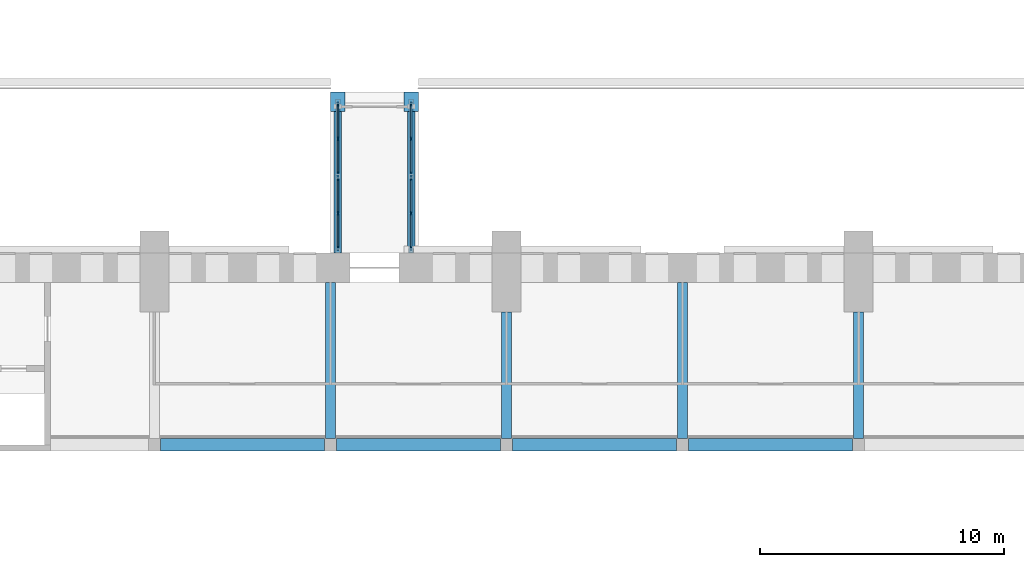
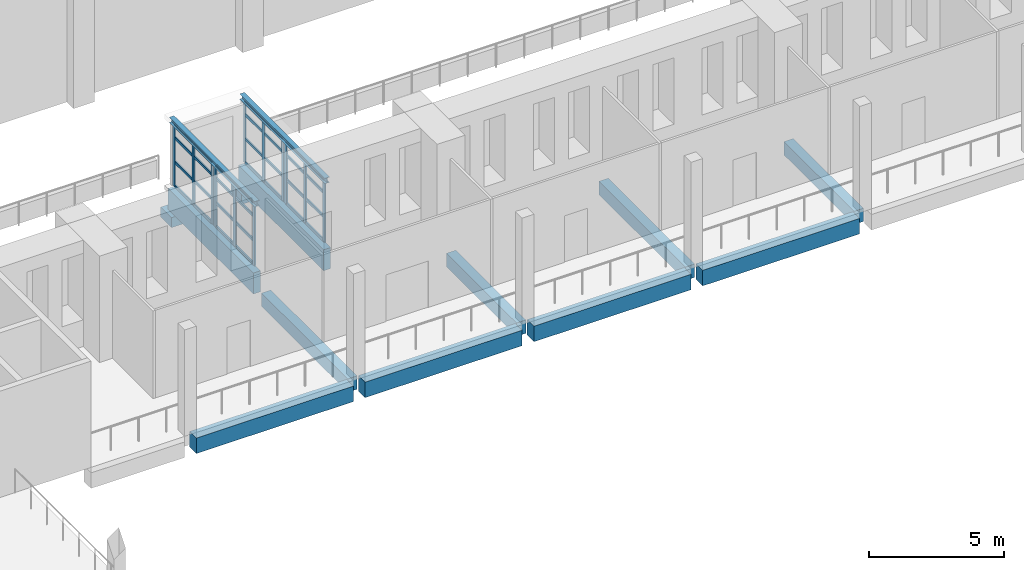
# One storey, part 44 of 131: 44 members, 14 beams, 4 elements without a shape of their own.
"""IFC4 building model written with IfcOpenShell, lengths in metres."""

from ifc_helpers import new_model, si_unit, direction, frame, origin, origin_2d, place, context, subcontext, project, spatial, rectangle, i_section, extrude, material, layer, layer_set, material_profile, profile_set, type_object, element, aggregate, save


model = new_model("IFC4")

# Units and contexts
model_context = context("Model", 3, precision=1e-05, world=origin(), true_north=direction((0.0, 1.0)))
body_context = subcontext(model_context, "Body", "Model", "MODEL_VIEW")
ifc_project = project(units=[si_unit("LENGTHUNIT", "METRE"), si_unit("AREAUNIT", "SQUARE_METRE"), si_unit("VOLUMEUNIT", "CUBIC_METRE"), si_unit("PLANEANGLEUNIT", "RADIAN"), si_unit("MASSUNIT", "GRAM", prefix="KILO")], contexts=[model_context])

# Site, building, storey
site_placement = place(None, origin())
site = spatial("IfcSite", under=ifc_project, at=site_placement, CompositionType="ELEMENT")
building_placement = place(site_placement, origin())
building = spatial("IfcBuilding", under=site, at=building_placement, Name="Alderwick Market Hall", CompositionType="ELEMENT")
storey_placement = place(building_placement, frame((0.0, 0.0, 4.800048828125)))
storey = spatial("IfcBuildingStorey", under=building, at=storey_placement, Name="L00", CompositionType="ELEMENT", Elevation=4.800048828125)

# Beams
ifc_material_1 = material(Name="Concrete 5000 psi (f'c 35 MPa)", Category="concrete")
ifc_material_profile_1 = material_profile(ifc_material_1, rectangle(XDim=0.5, YDim=0.699951171875, at=origin_2d()), Name="RC 500x700")
ifc_profile_set_1 = profile_set([ifc_material_profile_1], Name="Concrete 5000 psi (f'c 35 MPa)")
beam_type_1 = type_object("IfcBeamType", Name="H Edge beam 500x700", PredefinedType="BEAM", material=ifc_profile_set_1)
for number, where, z_axis, x_axis, name in (
    (1, (65.050048828125, 100.760009765625, -0.60009765625), (1.0, 0.0, 0.0), (0.0, 1.0, 0.0), "Gallery edge beam N"),
    (2, (72.25, 100.760009765625, -0.60009765625), (1.0, 0.0, 0.0), (0.0, 1.0, 0.0), "Gallery edge beam N"),
    (3, (79.449951171875, 100.760009765625, -0.60009765625), (1.0, 0.0, 0.0), (0.0, 1.0, 0.0), "Gallery edge beam N"),
):
    element("IfcBeam", number, at=place(storey_placement, frame(where, z_axis=z_axis, x_axis=x_axis)), inside=storey, type_object=beam_type_1, Name=name, PredefinedType="BEAM", context=body_context, shape_type="SweptSolid", body=[
        extrude(rectangle(XDim=0.5, YDim=0.699951171875, at=origin_2d()), origin(), (0.0, 0.0, 1.0), 6.699951171875),
    ])
beam_1_placement = place(storey_placement, frame((86.64990234375, 100.760009765625, -0.60009765625), z_axis=(1.0, 0.0, 0.0), x_axis=(0.0, 1.0, 0.0)))
element("IfcBeam", 4, at=beam_1_placement, inside=storey, type_object=beam_type_1, Name="Gallery edge beam N", PredefinedType="BEAM", context=body_context, shape_type="SweptSolid", body=[
    extrude(rectangle(XDim=0.5, YDim=0.699951171875, at=origin_2d()), origin(), (0.0, 0.0, 1.0), 6.7001953125),
])
ifc_material_profile_2 = material_profile(ifc_material_1, rectangle(XDim=0.39990234375, YDim=0.60009765625, at=origin_2d()), Name="RC 400x600")
ifc_profile_set_2 = profile_set([ifc_material_profile_2], Name="Concrete 5000 psi (f'c 35 MPa)")
beam_type_2 = type_object("IfcBeamType", Name="H Gallery beam 400x600", PredefinedType="BEAM", material=ifc_profile_set_2)
beam_2_placement = place(storey_placement, frame((72.0, 107.39990234375, -0.550048828125), z_axis=(0.0, -1.0, 0.0), x_axis=(1.0, 0.0, 0.0)))
element("IfcBeam", 5, at=beam_2_placement, inside=storey, type_object=beam_type_2, Name="Gallery beam N", PredefinedType="BEAM", context=body_context, shape_type="SweptSolid", body=[
    extrude(rectangle(XDim=0.39990234375, YDim=0.60009765625, at=origin_2d()), origin(), (0.0, 0.0, 1.0), 6.389892578125),
])
beam_3_placement = place(storey_placement, frame((79.199951171875, 106.199951171875, -0.550048828125), z_axis=(0.0, -1.0, 0.0), x_axis=(1.0, 0.0, 0.0)))
element("IfcBeam", 6, at=beam_3_placement, inside=storey, type_object=beam_type_2, Name="Gallery beam N", PredefinedType="BEAM", context=body_context, shape_type="SweptSolid", body=[
    extrude(rectangle(XDim=0.39990234375, YDim=0.60009765625, at=origin_2d()), origin(), (0.0, 0.0, 1.0), 5.18994140625),
])
beam_4_placement = place(storey_placement, frame((86.39990234375, 107.39990234375, -0.550048828125), z_axis=(0.0, -1.0, 0.0), x_axis=(1.0, 0.0, 0.0)))
element("IfcBeam", 7, at=beam_4_placement, inside=storey, type_object=beam_type_2, Name="Gallery beam N", PredefinedType="BEAM", context=body_context, shape_type="SweptSolid", body=[
    extrude(rectangle(XDim=0.39990234375, YDim=0.60009765625, at=origin_2d()), origin(), (0.0, 0.0, 1.0), 6.389892578125),
])
beam_5_placement = place(storey_placement, frame((93.60009765625, 106.199951171875, -0.550048828125), z_axis=(0.0, -1.0, 0.0), x_axis=(1.0, 0.0, 0.0)))
element("IfcBeam", 8, at=beam_5_placement, inside=storey, type_object=beam_type_2, Name="Gallery beam N", PredefinedType="BEAM", context=body_context, shape_type="SweptSolid", body=[
    extrude(rectangle(XDim=0.39990234375, YDim=0.60009765625, at=origin_2d()), origin(), (0.0, 0.0, 1.0), 5.18994140625),
])

# Curtain wall, members
ifc_material_2 = material(Name="Aluminium frame", Category="aluminium")
ifc_layer = layer(ifc_material_2, 0.10009765625)
ifc_layer_set = layer_set([ifc_layer], Name="Aluminium frame")
curtain_wall_type = type_object("IfcCurtainWallType", Name="P Curtain Wall 100", PredefinedType="NOTDEFINED", material=ifc_layer_set)
curtain_wall_1_placement = place(storey_placement, origin())
curtain_wall_1 = element("IfcCurtainWall", 9, at=curtain_wall_1_placement, inside=storey, type_object=curtain_wall_type, Name="P.P1.cw.a0", PredefinedType="NOTDEFINED")
ifc_material_profile_3 = material_profile(ifc_material_2, rectangle(XDim=0.06005859375, YDim=0.159912109375, at=origin_2d()), Name="P Mullion 60x160")
ifc_profile_set_3 = profile_set([ifc_material_profile_3], Name="Aluminium frame")
member_type_1 = type_object("IfcMemberType", Name="P Mullion 60x160", PredefinedType="MULLION", material=ifc_profile_set_3)
member_1_placement = place(storey_placement, frame((72.300048828125, 108.805908203125, 0.0), z_axis=(0.0, 0.0, 1.0), x_axis=(-1.0, 0.0, 0.0)))
member_1 = element("IfcMember", 10, at=member_1_placement, type_object=member_type_1, Name="P-CW1a0 mullion 1", PredefinedType="MULLION", context=body_context, shape_type="SweptSolid", body=[
    extrude(rectangle(XDim=0.06005859375, YDim=0.159912109375, at=origin_2d()), origin(), (0.0, 0.0, 1.0), 2.7529296875),
])
member_2_placement = place(storey_placement, frame((72.300048828125, 110.22509765625, 0.0), z_axis=(0.0, 0.0, 1.0), x_axis=(-1.0, 0.0, 0.0)))
member_2 = element("IfcMember", 11, at=member_2_placement, type_object=member_type_1, Name="P-CW1a0 mullion 2", PredefinedType="MULLION", context=body_context, shape_type="SweptSolid", body=[
    extrude(rectangle(XDim=0.06005859375, YDim=0.159912109375, at=origin_2d()), origin(), (0.0, 0.0, 1.0), 2.7529296875),
])
member_3_placement = place(storey_placement, frame((72.300048828125, 111.64404296875, 0.0), z_axis=(0.0, 0.0, 1.0), x_axis=(-1.0, 0.0, 0.0)))
member_3 = element("IfcMember", 12, at=member_3_placement, type_object=member_type_1, Name="P-CW1a0 mullion 3", PredefinedType="MULLION", context=body_context, shape_type="SweptSolid", body=[
    extrude(rectangle(XDim=0.06005859375, YDim=0.159912109375, at=origin_2d()), origin(), (0.0, 0.0, 1.0), 2.7529296875),
])

curtain_wall_2_placement = place(storey_placement, origin())
curtain_wall_2 = element("IfcCurtainWall", 13, at=curtain_wall_2_placement, inside=storey, type_object=curtain_wall_type, Name="P.P1.cw.a1", PredefinedType="NOTDEFINED")
member_4_placement = place(storey_placement, frame((72.300048828125, 111.85595703125, 0.0), z_axis=(0.0, 0.0, 1.0), x_axis=(-1.0, 0.0, 0.0)))
member_4 = element("IfcMember", 14, at=member_4_placement, type_object=member_type_1, Name="P-CW1a1 mullion 1", PredefinedType="MULLION", context=body_context, shape_type="SweptSolid", body=[
    extrude(rectangle(XDim=0.06005859375, YDim=0.159912109375, at=origin_2d()), origin(), (0.0, 0.0, 1.0), 2.7529296875),
])
member_5_placement = place(storey_placement, frame((72.300048828125, 113.27490234375, 0.0), z_axis=(0.0, 0.0, 1.0), x_axis=(-1.0, 0.0, 0.0)))
member_5 = element("IfcMember", 15, at=member_5_placement, type_object=member_type_1, Name="P-CW1a1 mullion 2", PredefinedType="MULLION", context=body_context, shape_type="SweptSolid", body=[
    extrude(rectangle(XDim=0.06005859375, YDim=0.159912109375, at=origin_2d()), origin(), (0.0, 0.0, 1.0), 2.7529296875),
])
member_6_placement = place(storey_placement, frame((72.300048828125, 114.694091796875, 0.0), z_axis=(0.0, 0.0, 1.0), x_axis=(-1.0, 0.0, 0.0)))
member_6 = element("IfcMember", 16, at=member_6_placement, type_object=member_type_1, Name="P-CW1a1 mullion 3", PredefinedType="MULLION", context=body_context, shape_type="SweptSolid", body=[
    extrude(rectangle(XDim=0.06005859375, YDim=0.159912109375, at=origin_2d()), origin(), (0.0, 0.0, 1.0), 2.7529296875),
])

curtain_wall_3_placement = place(storey_placement, origin())
curtain_wall_3 = element("IfcCurtainWall", 17, at=curtain_wall_3_placement, inside=storey, type_object=curtain_wall_type, Name="P.P1.cw.b0", PredefinedType="NOTDEFINED")
member_7_placement = place(storey_placement, frame((75.300048828125, 108.805908203125, 0.0), z_axis=(0.0, 0.0, 1.0), x_axis=(-1.0, 0.0, 0.0)))
member_7 = element("IfcMember", 18, at=member_7_placement, type_object=member_type_1, Name="P-CW1b0 mullion 1", PredefinedType="MULLION", context=body_context, shape_type="SweptSolid", body=[
    extrude(rectangle(XDim=0.06005859375, YDim=0.159912109375, at=origin_2d()), origin(), (0.0, 0.0, 1.0), 2.7529296875),
])
member_8_placement = place(storey_placement, frame((75.300048828125, 110.22509765625, 0.0), z_axis=(0.0, 0.0, 1.0), x_axis=(-1.0, 0.0, 0.0)))
member_8 = element("IfcMember", 19, at=member_8_placement, type_object=member_type_1, Name="P-CW1b0 mullion 2", PredefinedType="MULLION", context=body_context, shape_type="SweptSolid", body=[
    extrude(rectangle(XDim=0.06005859375, YDim=0.159912109375, at=origin_2d()), origin(), (0.0, 0.0, 1.0), 2.7529296875),
])
member_9_placement = place(storey_placement, frame((75.300048828125, 111.64404296875, 0.0), z_axis=(0.0, 0.0, 1.0), x_axis=(-1.0, 0.0, 0.0)))
member_9 = element("IfcMember", 20, at=member_9_placement, type_object=member_type_1, Name="P-CW1b0 mullion 3", PredefinedType="MULLION", context=body_context, shape_type="SweptSolid", body=[
    extrude(rectangle(XDim=0.06005859375, YDim=0.159912109375, at=origin_2d()), origin(), (0.0, 0.0, 1.0), 2.7529296875),
])

curtain_wall_4_placement = place(storey_placement, origin())
curtain_wall_4 = element("IfcCurtainWall", 21, at=curtain_wall_4_placement, inside=storey, type_object=curtain_wall_type, Name="P.P1.cw.b1", PredefinedType="NOTDEFINED")
member_10_placement = place(storey_placement, frame((75.300048828125, 111.85595703125, 0.0), z_axis=(0.0, 0.0, 1.0), x_axis=(-1.0, 0.0, 0.0)))
member_10 = element("IfcMember", 22, at=member_10_placement, type_object=member_type_1, Name="P-CW1b1 mullion 1", PredefinedType="MULLION", context=body_context, shape_type="SweptSolid", body=[
    extrude(rectangle(XDim=0.06005859375, YDim=0.159912109375, at=origin_2d()), origin(), (0.0, 0.0, 1.0), 2.7529296875),
])
member_11_placement = place(storey_placement, frame((75.300048828125, 113.27490234375, 0.0), z_axis=(0.0, 0.0, 1.0), x_axis=(-1.0, 0.0, 0.0)))
member_11 = element("IfcMember", 23, at=member_11_placement, type_object=member_type_1, Name="P-CW1b1 mullion 2", PredefinedType="MULLION", context=body_context, shape_type="SweptSolid", body=[
    extrude(rectangle(XDim=0.06005859375, YDim=0.159912109375, at=origin_2d()), origin(), (0.0, 0.0, 1.0), 2.7529296875),
])
member_12_placement = place(storey_placement, frame((75.300048828125, 114.694091796875, 0.0), z_axis=(0.0, 0.0, 1.0), x_axis=(-1.0, 0.0, 0.0)))
member_12 = element("IfcMember", 24, at=member_12_placement, type_object=member_type_1, Name="P-CW1b1 mullion 3", PredefinedType="MULLION", context=body_context, shape_type="SweptSolid", body=[
    extrude(rectangle(XDim=0.06005859375, YDim=0.159912109375, at=origin_2d()), origin(), (0.0, 0.0, 1.0), 2.7529296875),
])

# Beams
ifc_material_profile_4 = material_profile(ifc_material_1, rectangle(XDim=0.60009765625, YDim=0.449951171875, at=origin_2d()), Name="P RC Bearing Corbel 600x450")
ifc_profile_set_4 = profile_set([ifc_material_profile_4], Name="Concrete 5000 psi (f'c 35 MPa)")
beam_type_3 = type_object("IfcBeamType", Name="P RC Bearing Corbel 600x450", PredefinedType="USERDEFINED", material=ifc_profile_set_4)
for number, where, z_axis, x_axis, name in (
    (25, (72.300048828125, 114.39990234375, -1.39306640625), (0.0, 1.0, 0.0), (-1.0, 0.0, 0.0), "Bearing corbel"),
    (26, (75.300048828125, 114.39990234375, -1.39306640625), (0.0, 1.0, 0.0), (-1.0, 0.0, 0.0), "Bearing corbel"),
):
    element("IfcBeam", number, at=place(storey_placement, frame(where, z_axis=z_axis, x_axis=x_axis)), inside=storey, type_object=beam_type_3, Name=name, ObjectType="CORBEL", PredefinedType="USERDEFINED", context=body_context, shape_type="SweptSolid", body=[
        extrude(rectangle(XDim=0.60009765625, YDim=0.449951171875, at=origin_2d()), origin(), (0.0, 0.0, 1.0), 0.800048828125),
    ])
ifc_material_profile_5 = material_profile(ifc_material_1, rectangle(XDim=0.300048828125, YDim=0.949951171875, at=origin_2d()), Name="P RC Edge Girder 300x950")
ifc_profile_set_5 = profile_set([ifc_material_profile_5], Name="Concrete 5000 psi (f'c 35 MPa)")
beam_type_4 = type_object("IfcBeamType", Name="P RC Edge Girder 300x950", PredefinedType="BEAM", material=ifc_profile_set_5)
for number, where, z_axis, x_axis, name in (
    (27, (72.300048828125, 108.60009765625, -0.675048828125), (0.0, 1.0, 0.0), (-1.0, 0.0, 0.0), "P.P1.girder.a"),
    (28, (75.300048828125, 108.60009765625, -0.675048828125), (0.0, 1.0, 0.0), (-1.0, 0.0, 0.0), "P.P1.girder.b"),
):
    element("IfcBeam", number, at=place(storey_placement, frame(where, z_axis=z_axis, x_axis=x_axis)), inside=storey, type_object=beam_type_4, Name=name, PredefinedType="BEAM", context=body_context, shape_type="SweptSolid", body=[
        extrude(rectangle(XDim=0.300048828125, YDim=0.949951171875, at=origin_2d()), origin(), (0.0, 0.0, 1.0), 6.2998046875),
    ])
ifc_material_3 = material(Name="Steel ASTM A992 Grade 50", Category="steel")
ifc_material_profile_6 = material_profile(ifc_material_3, i_section(OverallWidth=0.201904296875, OverallDepth=0.2470703125, WebThickness=0.00732421875, FlangeThickness=0.010986328125, at=origin_2d()), Name="W250x49")
ifc_profile_set_6 = profile_set([ifc_material_profile_6], Name="Steel ASTM A992 Grade 50")
beam_type_5 = type_object("IfcBeamType", Name="P Roof Beam W250x49", PredefinedType="BEAM", material=ifc_profile_set_6)
for number, where, z_axis, x_axis, name in (
    (29, (72.300048828125, 108.60009765625, 2.87646484375), (0.0, 1.0, 0.0), (-1.0, 0.0, 0.0), "P.P1.rbeam.a"),
    (30, (75.300048828125, 108.60009765625, 2.87646484375), (0.0, 1.0, 0.0), (-1.0, 0.0, 0.0), "P.P1.rbeam.b"),
):
    element("IfcBeam", number, at=place(storey_placement, frame(where, z_axis=z_axis, x_axis=x_axis)), inside=storey, type_object=beam_type_5, Name=name, PredefinedType="BEAM", context=body_context, shape_type="SweptSolid", body=[
        extrude(i_section(OverallWidth=0.201904296875, OverallDepth=0.2470703125, WebThickness=0.00732421875, FlangeThickness=0.010986328125, at=origin_2d()), origin(), (0.0, 0.0, 1.0), 6.2998046875),
    ])

# Member
ifc_material_profile_7 = material_profile(ifc_material_2, rectangle(XDim=0.06005859375, YDim=0.1201171875, at=origin_2d()), Name="P Transom 60x120")
ifc_profile_set_7 = profile_set([ifc_material_profile_7], Name="Aluminium frame")
member_type_2 = type_object("IfcMemberType", Name="P Transom 60x120", PredefinedType="USERDEFINED", material=ifc_profile_set_7)
member_13_placement = place(storey_placement, frame((72.300048828125, 108.8359375, 0.030029296875), z_axis=(0.0, 1.0, 0.0), x_axis=(-1.0, 0.0, 0.0)))
member_13 = element("IfcMember", 31, at=member_13_placement, type_object=member_type_2, Name="P-CW1a0 transom 1.1", ObjectType="TRANSOM", PredefinedType="USERDEFINED", context=body_context, shape_type="SweptSolid", body=[
    extrude(rectangle(XDim=0.06005859375, YDim=0.1201171875, at=origin_2d()), origin(), (0.0, 0.0, 1.0), 1.359130859375),
])

member_14_placement = place(storey_placement, frame((72.300048828125, 108.8359375, 1.099853515625), z_axis=(0.0, 1.0, 0.0), x_axis=(-1.0, 0.0, 0.0)))
member_14 = element("IfcMember", 32, at=member_14_placement, type_object=member_type_2, Name="P-CW1a0 transom 1.2", ObjectType="TRANSOM", PredefinedType="USERDEFINED", context=body_context, shape_type="SweptSolid", body=[
    extrude(rectangle(XDim=0.06005859375, YDim=0.1201171875, at=origin_2d()), origin(), (0.0, 0.0, 1.0), 1.359130859375),
])

member_15_placement = place(storey_placement, frame((72.300048828125, 108.8359375, 2.199951171875), z_axis=(0.0, 1.0, 0.0), x_axis=(-1.0, 0.0, 0.0)))
member_15 = element("IfcMember", 33, at=member_15_placement, type_object=member_type_2, Name="P-CW1a0 transom 1.3", ObjectType="TRANSOM", PredefinedType="USERDEFINED", context=body_context, shape_type="SweptSolid", body=[
    extrude(rectangle(XDim=0.06005859375, YDim=0.1201171875, at=origin_2d()), origin(), (0.0, 0.0, 1.0), 1.359130859375),
])

member_16_placement = place(storey_placement, frame((72.300048828125, 108.8359375, 2.722900390625), z_axis=(0.0, 1.0, 0.0), x_axis=(-1.0, 0.0, 0.0)))
member_16 = element("IfcMember", 34, at=member_16_placement, type_object=member_type_2, Name="P-CW1a0 transom 1.4", ObjectType="TRANSOM", PredefinedType="USERDEFINED", context=body_context, shape_type="SweptSolid", body=[
    extrude(rectangle(XDim=0.06005859375, YDim=0.1201171875, at=origin_2d()), origin(), (0.0, 0.0, 1.0), 1.359130859375),
])

member_17_placement = place(storey_placement, frame((72.300048828125, 110.2548828125, 0.030029296875), z_axis=(0.0, 1.0, 0.0), x_axis=(-1.0, 0.0, 0.0)))
member_17 = element("IfcMember", 35, at=member_17_placement, type_object=member_type_2, Name="P-CW1a0 transom 2.1", ObjectType="TRANSOM", PredefinedType="USERDEFINED", context=body_context, shape_type="SweptSolid", body=[
    extrude(rectangle(XDim=0.06005859375, YDim=0.1201171875, at=origin_2d()), origin(), (0.0, 0.0, 1.0), 1.359130859375),
])

member_18_placement = place(storey_placement, frame((72.300048828125, 110.2548828125, 1.099853515625), z_axis=(0.0, 1.0, 0.0), x_axis=(-1.0, 0.0, 0.0)))
member_18 = element("IfcMember", 36, at=member_18_placement, type_object=member_type_2, Name="P-CW1a0 transom 2.2", ObjectType="TRANSOM", PredefinedType="USERDEFINED", context=body_context, shape_type="SweptSolid", body=[
    extrude(rectangle(XDim=0.06005859375, YDim=0.1201171875, at=origin_2d()), origin(), (0.0, 0.0, 1.0), 1.359130859375),
])

member_19_placement = place(storey_placement, frame((72.300048828125, 110.2548828125, 2.199951171875), z_axis=(0.0, 1.0, 0.0), x_axis=(-1.0, 0.0, 0.0)))
member_19 = element("IfcMember", 37, at=member_19_placement, type_object=member_type_2, Name="P-CW1a0 transom 2.3", ObjectType="TRANSOM", PredefinedType="USERDEFINED", context=body_context, shape_type="SweptSolid", body=[
    extrude(rectangle(XDim=0.06005859375, YDim=0.1201171875, at=origin_2d()), origin(), (0.0, 0.0, 1.0), 1.359130859375),
])

member_20_placement = place(storey_placement, frame((72.300048828125, 110.2548828125, 2.722900390625), z_axis=(0.0, 1.0, 0.0), x_axis=(-1.0, 0.0, 0.0)))
member_20 = element("IfcMember", 38, at=member_20_placement, type_object=member_type_2, Name="P-CW1a0 transom 2.4", ObjectType="TRANSOM", PredefinedType="USERDEFINED", context=body_context, shape_type="SweptSolid", body=[
    extrude(rectangle(XDim=0.06005859375, YDim=0.1201171875, at=origin_2d()), origin(), (0.0, 0.0, 1.0), 1.359130859375),
])

aggregate(curtain_wall_1, [member_1, member_2, member_3, member_13, member_14, member_15, member_16, member_17, member_18, member_19, member_20])

member_21_placement = place(storey_placement, frame((72.300048828125, 111.885986328125, 0.030029296875), z_axis=(0.0, 1.0, 0.0), x_axis=(-1.0, 0.0, 0.0)))
member_21 = element("IfcMember", 39, at=member_21_placement, type_object=member_type_2, Name="P-CW1a1 transom 1.1", ObjectType="TRANSOM", PredefinedType="USERDEFINED", context=body_context, shape_type="SweptSolid", body=[
    extrude(rectangle(XDim=0.06005859375, YDim=0.1201171875, at=origin_2d()), origin(), (0.0, 0.0, 1.0), 1.359130859375),
])

member_22_placement = place(storey_placement, frame((72.300048828125, 111.885986328125, 1.099853515625), z_axis=(0.0, 1.0, 0.0), x_axis=(-1.0, 0.0, 0.0)))
member_22 = element("IfcMember", 40, at=member_22_placement, type_object=member_type_2, Name="P-CW1a1 transom 1.2", ObjectType="TRANSOM", PredefinedType="USERDEFINED", context=body_context, shape_type="SweptSolid", body=[
    extrude(rectangle(XDim=0.06005859375, YDim=0.1201171875, at=origin_2d()), origin(), (0.0, 0.0, 1.0), 1.359130859375),
])

member_23_placement = place(storey_placement, frame((72.300048828125, 111.885986328125, 2.199951171875), z_axis=(0.0, 1.0, 0.0), x_axis=(-1.0, 0.0, 0.0)))
member_23 = element("IfcMember", 41, at=member_23_placement, type_object=member_type_2, Name="P-CW1a1 transom 1.3", ObjectType="TRANSOM", PredefinedType="USERDEFINED", context=body_context, shape_type="SweptSolid", body=[
    extrude(rectangle(XDim=0.06005859375, YDim=0.1201171875, at=origin_2d()), origin(), (0.0, 0.0, 1.0), 1.359130859375),
])

member_24_placement = place(storey_placement, frame((72.300048828125, 111.885986328125, 2.722900390625), z_axis=(0.0, 1.0, 0.0), x_axis=(-1.0, 0.0, 0.0)))
member_24 = element("IfcMember", 42, at=member_24_placement, type_object=member_type_2, Name="P-CW1a1 transom 1.4", ObjectType="TRANSOM", PredefinedType="USERDEFINED", context=body_context, shape_type="SweptSolid", body=[
    extrude(rectangle(XDim=0.06005859375, YDim=0.1201171875, at=origin_2d()), origin(), (0.0, 0.0, 1.0), 1.359130859375),
])

member_25_placement = place(storey_placement, frame((72.300048828125, 113.304931640625, 0.030029296875), z_axis=(0.0, 1.0, 0.0), x_axis=(-1.0, 0.0, 0.0)))
member_25 = element("IfcMember", 43, at=member_25_placement, type_object=member_type_2, Name="P-CW1a1 transom 2.1", ObjectType="TRANSOM", PredefinedType="USERDEFINED", context=body_context, shape_type="SweptSolid", body=[
    extrude(rectangle(XDim=0.06005859375, YDim=0.1201171875, at=origin_2d()), origin(), (0.0, 0.0, 1.0), 1.359130859375),
])

member_26_placement = place(storey_placement, frame((72.300048828125, 113.304931640625, 1.099853515625), z_axis=(0.0, 1.0, 0.0), x_axis=(-1.0, 0.0, 0.0)))
member_26 = element("IfcMember", 44, at=member_26_placement, type_object=member_type_2, Name="P-CW1a1 transom 2.2", ObjectType="TRANSOM", PredefinedType="USERDEFINED", context=body_context, shape_type="SweptSolid", body=[
    extrude(rectangle(XDim=0.06005859375, YDim=0.1201171875, at=origin_2d()), origin(), (0.0, 0.0, 1.0), 1.359130859375),
])

member_27_placement = place(storey_placement, frame((72.300048828125, 113.304931640625, 2.199951171875), z_axis=(0.0, 1.0, 0.0), x_axis=(-1.0, 0.0, 0.0)))
member_27 = element("IfcMember", 45, at=member_27_placement, type_object=member_type_2, Name="P-CW1a1 transom 2.3", ObjectType="TRANSOM", PredefinedType="USERDEFINED", context=body_context, shape_type="SweptSolid", body=[
    extrude(rectangle(XDim=0.06005859375, YDim=0.1201171875, at=origin_2d()), origin(), (0.0, 0.0, 1.0), 1.359130859375),
])

member_28_placement = place(storey_placement, frame((72.300048828125, 113.304931640625, 2.722900390625), z_axis=(0.0, 1.0, 0.0), x_axis=(-1.0, 0.0, 0.0)))
member_28 = element("IfcMember", 46, at=member_28_placement, type_object=member_type_2, Name="P-CW1a1 transom 2.4", ObjectType="TRANSOM", PredefinedType="USERDEFINED", context=body_context, shape_type="SweptSolid", body=[
    extrude(rectangle(XDim=0.06005859375, YDim=0.1201171875, at=origin_2d()), origin(), (0.0, 0.0, 1.0), 1.359130859375),
])

aggregate(curtain_wall_2, [member_4, member_5, member_6, member_21, member_22, member_23, member_24, member_25, member_26, member_27, member_28])

member_29_placement = place(storey_placement, frame((75.300048828125, 108.8359375, 0.030029296875), z_axis=(0.0, 1.0, 0.0), x_axis=(-1.0, 0.0, 0.0)))
member_29 = element("IfcMember", 47, at=member_29_placement, type_object=member_type_2, Name="P-CW1b0 transom 1.1", ObjectType="TRANSOM", PredefinedType="USERDEFINED", context=body_context, shape_type="SweptSolid", body=[
    extrude(rectangle(XDim=0.06005859375, YDim=0.1201171875, at=origin_2d()), origin(), (0.0, 0.0, 1.0), 1.359130859375),
])

member_30_placement = place(storey_placement, frame((75.300048828125, 108.8359375, 1.099853515625), z_axis=(0.0, 1.0, 0.0), x_axis=(-1.0, 0.0, 0.0)))
member_30 = element("IfcMember", 48, at=member_30_placement, type_object=member_type_2, Name="P-CW1b0 transom 1.2", ObjectType="TRANSOM", PredefinedType="USERDEFINED", context=body_context, shape_type="SweptSolid", body=[
    extrude(rectangle(XDim=0.06005859375, YDim=0.1201171875, at=origin_2d()), origin(), (0.0, 0.0, 1.0), 1.359130859375),
])

member_31_placement = place(storey_placement, frame((75.300048828125, 108.8359375, 2.199951171875), z_axis=(0.0, 1.0, 0.0), x_axis=(-1.0, 0.0, 0.0)))
member_31 = element("IfcMember", 49, at=member_31_placement, type_object=member_type_2, Name="P-CW1b0 transom 1.3", ObjectType="TRANSOM", PredefinedType="USERDEFINED", context=body_context, shape_type="SweptSolid", body=[
    extrude(rectangle(XDim=0.06005859375, YDim=0.1201171875, at=origin_2d()), origin(), (0.0, 0.0, 1.0), 1.359130859375),
])

member_32_placement = place(storey_placement, frame((75.300048828125, 108.8359375, 2.722900390625), z_axis=(0.0, 1.0, 0.0), x_axis=(-1.0, 0.0, 0.0)))
member_32 = element("IfcMember", 50, at=member_32_placement, type_object=member_type_2, Name="P-CW1b0 transom 1.4", ObjectType="TRANSOM", PredefinedType="USERDEFINED", context=body_context, shape_type="SweptSolid", body=[
    extrude(rectangle(XDim=0.06005859375, YDim=0.1201171875, at=origin_2d()), origin(), (0.0, 0.0, 1.0), 1.359130859375),
])

member_33_placement = place(storey_placement, frame((75.300048828125, 110.2548828125, 0.030029296875), z_axis=(0.0, 1.0, 0.0), x_axis=(-1.0, 0.0, 0.0)))
member_33 = element("IfcMember", 51, at=member_33_placement, type_object=member_type_2, Name="P-CW1b0 transom 2.1", ObjectType="TRANSOM", PredefinedType="USERDEFINED", context=body_context, shape_type="SweptSolid", body=[
    extrude(rectangle(XDim=0.06005859375, YDim=0.1201171875, at=origin_2d()), origin(), (0.0, 0.0, 1.0), 1.359130859375),
])

member_34_placement = place(storey_placement, frame((75.300048828125, 110.2548828125, 1.099853515625), z_axis=(0.0, 1.0, 0.0), x_axis=(-1.0, 0.0, 0.0)))
member_34 = element("IfcMember", 52, at=member_34_placement, type_object=member_type_2, Name="P-CW1b0 transom 2.2", ObjectType="TRANSOM", PredefinedType="USERDEFINED", context=body_context, shape_type="SweptSolid", body=[
    extrude(rectangle(XDim=0.06005859375, YDim=0.1201171875, at=origin_2d()), origin(), (0.0, 0.0, 1.0), 1.359130859375),
])

member_35_placement = place(storey_placement, frame((75.300048828125, 110.2548828125, 2.199951171875), z_axis=(0.0, 1.0, 0.0), x_axis=(-1.0, 0.0, 0.0)))
member_35 = element("IfcMember", 53, at=member_35_placement, type_object=member_type_2, Name="P-CW1b0 transom 2.3", ObjectType="TRANSOM", PredefinedType="USERDEFINED", context=body_context, shape_type="SweptSolid", body=[
    extrude(rectangle(XDim=0.06005859375, YDim=0.1201171875, at=origin_2d()), origin(), (0.0, 0.0, 1.0), 1.359130859375),
])

member_36_placement = place(storey_placement, frame((75.300048828125, 110.2548828125, 2.722900390625), z_axis=(0.0, 1.0, 0.0), x_axis=(-1.0, 0.0, 0.0)))
member_36 = element("IfcMember", 54, at=member_36_placement, type_object=member_type_2, Name="P-CW1b0 transom 2.4", ObjectType="TRANSOM", PredefinedType="USERDEFINED", context=body_context, shape_type="SweptSolid", body=[
    extrude(rectangle(XDim=0.06005859375, YDim=0.1201171875, at=origin_2d()), origin(), (0.0, 0.0, 1.0), 1.359130859375),
])

aggregate(curtain_wall_3, [member_7, member_8, member_9, member_29, member_30, member_31, member_32, member_33, member_34, member_35, member_36])

member_37_placement = place(storey_placement, frame((75.300048828125, 111.885986328125, 0.030029296875), z_axis=(0.0, 1.0, 0.0), x_axis=(-1.0, 0.0, 0.0)))
member_37 = element("IfcMember", 55, at=member_37_placement, type_object=member_type_2, Name="P-CW1b1 transom 1.1", ObjectType="TRANSOM", PredefinedType="USERDEFINED", context=body_context, shape_type="SweptSolid", body=[
    extrude(rectangle(XDim=0.06005859375, YDim=0.1201171875, at=origin_2d()), origin(), (0.0, 0.0, 1.0), 1.359130859375),
])

member_38_placement = place(storey_placement, frame((75.300048828125, 111.885986328125, 1.099853515625), z_axis=(0.0, 1.0, 0.0), x_axis=(-1.0, 0.0, 0.0)))
member_38 = element("IfcMember", 56, at=member_38_placement, type_object=member_type_2, Name="P-CW1b1 transom 1.2", ObjectType="TRANSOM", PredefinedType="USERDEFINED", context=body_context, shape_type="SweptSolid", body=[
    extrude(rectangle(XDim=0.06005859375, YDim=0.1201171875, at=origin_2d()), origin(), (0.0, 0.0, 1.0), 1.359130859375),
])

member_39_placement = place(storey_placement, frame((75.300048828125, 111.885986328125, 2.199951171875), z_axis=(0.0, 1.0, 0.0), x_axis=(-1.0, 0.0, 0.0)))
member_39 = element("IfcMember", 57, at=member_39_placement, type_object=member_type_2, Name="P-CW1b1 transom 1.3", ObjectType="TRANSOM", PredefinedType="USERDEFINED", context=body_context, shape_type="SweptSolid", body=[
    extrude(rectangle(XDim=0.06005859375, YDim=0.1201171875, at=origin_2d()), origin(), (0.0, 0.0, 1.0), 1.359130859375),
])

member_40_placement = place(storey_placement, frame((75.300048828125, 111.885986328125, 2.722900390625), z_axis=(0.0, 1.0, 0.0), x_axis=(-1.0, 0.0, 0.0)))
member_40 = element("IfcMember", 58, at=member_40_placement, type_object=member_type_2, Name="P-CW1b1 transom 1.4", ObjectType="TRANSOM", PredefinedType="USERDEFINED", context=body_context, shape_type="SweptSolid", body=[
    extrude(rectangle(XDim=0.06005859375, YDim=0.1201171875, at=origin_2d()), origin(), (0.0, 0.0, 1.0), 1.359130859375),
])

member_41_placement = place(storey_placement, frame((75.300048828125, 113.304931640625, 0.030029296875), z_axis=(0.0, 1.0, 0.0), x_axis=(-1.0, 0.0, 0.0)))
member_41 = element("IfcMember", 59, at=member_41_placement, type_object=member_type_2, Name="P-CW1b1 transom 2.1", ObjectType="TRANSOM", PredefinedType="USERDEFINED", context=body_context, shape_type="SweptSolid", body=[
    extrude(rectangle(XDim=0.06005859375, YDim=0.1201171875, at=origin_2d()), origin(), (0.0, 0.0, 1.0), 1.359130859375),
])

member_42_placement = place(storey_placement, frame((75.300048828125, 113.304931640625, 1.099853515625), z_axis=(0.0, 1.0, 0.0), x_axis=(-1.0, 0.0, 0.0)))
member_42 = element("IfcMember", 60, at=member_42_placement, type_object=member_type_2, Name="P-CW1b1 transom 2.2", ObjectType="TRANSOM", PredefinedType="USERDEFINED", context=body_context, shape_type="SweptSolid", body=[
    extrude(rectangle(XDim=0.06005859375, YDim=0.1201171875, at=origin_2d()), origin(), (0.0, 0.0, 1.0), 1.359130859375),
])

member_43_placement = place(storey_placement, frame((75.300048828125, 113.304931640625, 2.199951171875), z_axis=(0.0, 1.0, 0.0), x_axis=(-1.0, 0.0, 0.0)))
member_43 = element("IfcMember", 61, at=member_43_placement, type_object=member_type_2, Name="P-CW1b1 transom 2.3", ObjectType="TRANSOM", PredefinedType="USERDEFINED", context=body_context, shape_type="SweptSolid", body=[
    extrude(rectangle(XDim=0.06005859375, YDim=0.1201171875, at=origin_2d()), origin(), (0.0, 0.0, 1.0), 1.359130859375),
])

member_44_placement = place(storey_placement, frame((75.300048828125, 113.304931640625, 2.722900390625), z_axis=(0.0, 1.0, 0.0), x_axis=(-1.0, 0.0, 0.0)))
member_44 = element("IfcMember", 62, at=member_44_placement, type_object=member_type_2, Name="P-CW1b1 transom 2.4", ObjectType="TRANSOM", PredefinedType="USERDEFINED", context=body_context, shape_type="SweptSolid", body=[
    extrude(rectangle(XDim=0.06005859375, YDim=0.1201171875, at=origin_2d()), origin(), (0.0, 0.0, 1.0), 1.359130859375),
])

aggregate(curtain_wall_4, [member_10, member_11, member_12, member_37, member_38, member_39, member_40, member_41, member_42, member_43, member_44])

save(model, "model.ifc")
